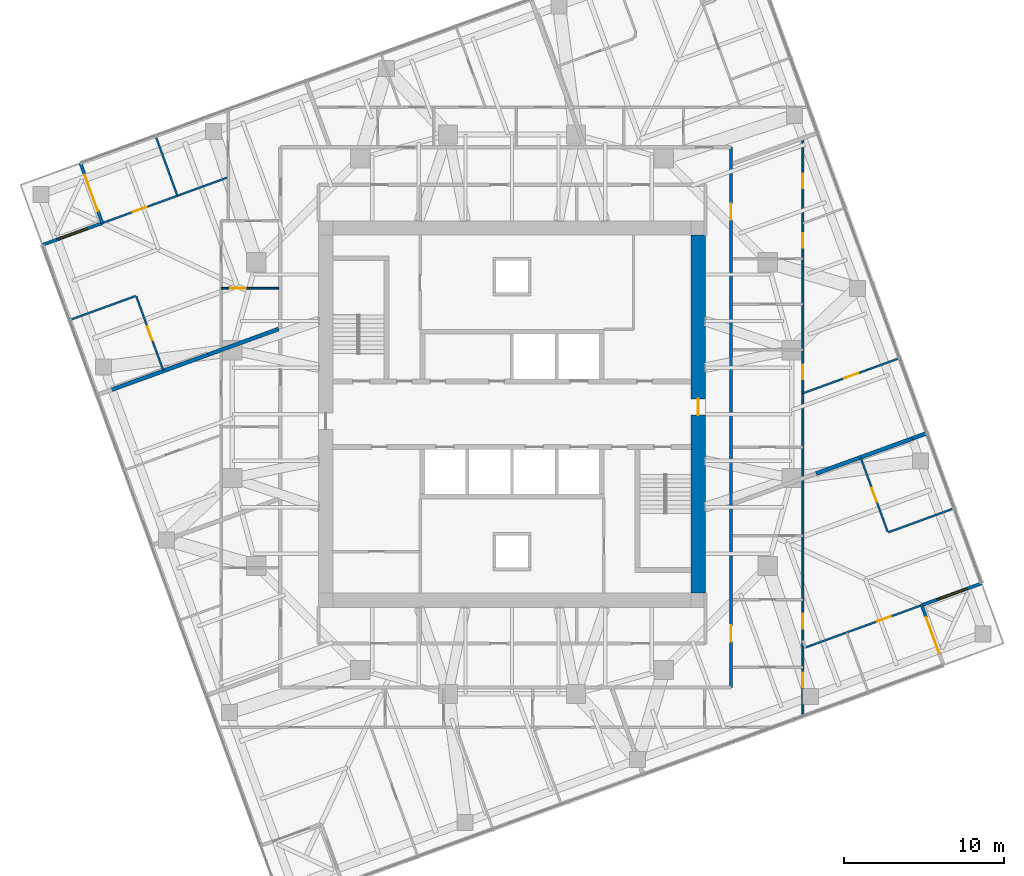
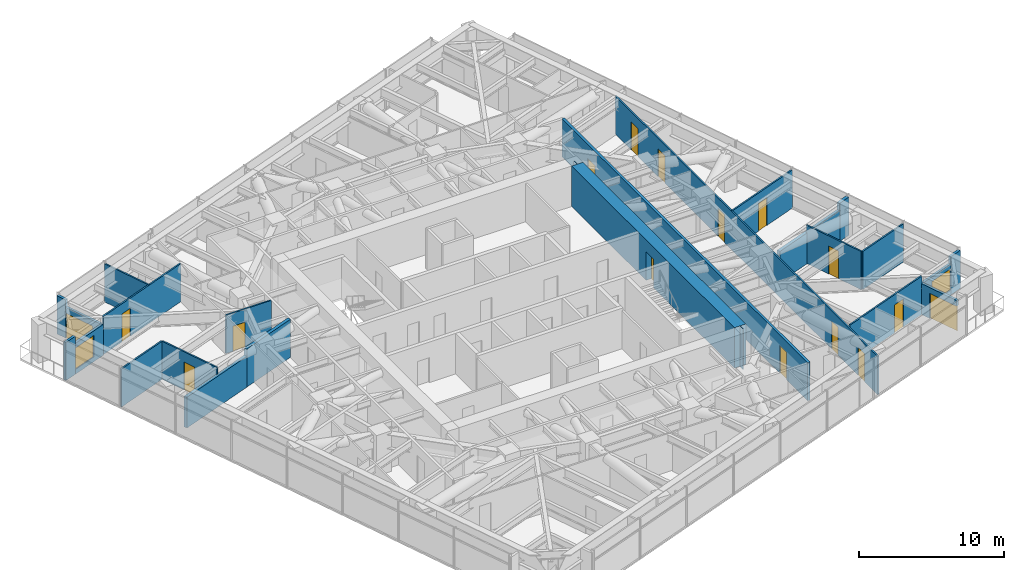
# One storey, part 12 of 16: 23 walls, 16 doors, 2 windows, 18 openings.
"""IFC4 building model written with IfcOpenShell, lengths in metres."""

from ifc_helpers import new_model, si_unit, direction, frame, frame_2d, origin, place, context, subcontext, project, spatial, polyline, rectangle, outline, extrude, material, layer, layer_set, type_object, element, fill, save


model = new_model("IFC4")

# Units and contexts
model_context = context("Model", 3, precision=1e-05, world=origin(), true_north=direction((0.0, 1.0)))
body_context = subcontext(model_context, "Body", "Model", "MODEL_VIEW")
ifc_project = project(units=[si_unit("LENGTHUNIT", "METRE"), si_unit("AREAUNIT", "SQUARE_METRE"), si_unit("VOLUMEUNIT", "CUBIC_METRE"), si_unit("PLANEANGLEUNIT", "RADIAN"), si_unit("MASSUNIT", "GRAM", prefix="KILO")], contexts=[model_context])

# Site, building, storey
site_placement = place(None, origin())
site = spatial("IfcSite", under=ifc_project, at=site_placement, CompositionType="ELEMENT")
building_placement = place(site_placement, origin())
building = spatial("IfcBuilding", under=site, at=building_placement, Name="Torsade Residences", CompositionType="ELEMENT")
storey_placement = place(building_placement, frame((0.0, 0.0, 167.60009765625)))
storey = spatial("IfcBuildingStorey", under=building, at=storey_placement, Name="L46", CompositionType="ELEMENT", Elevation=167.60009765625)

# Wall, opening, door
ifc_material_1 = material(Name="Concrete 80 MPa", Category="concrete")
ifc_layer_1 = layer(ifc_material_1, 0.89990234375)
ifc_layer_set_1 = layer_set([ifc_layer_1], Name="Concrete 80 MPa")
wall_type_1 = type_object("IfcWallType", Name="CORE WALL 900", PredefinedType="SHEAR", material=ifc_layer_set_1)
wall_1_placement = place(storey_placement, frame((51.64990234375, 18.800048828125, 0.0), z_axis=(0.0, 0.0, 1.0), x_axis=(0.0, 1.0, 0.0)))
wall_1 = element("IfcWall", 1, at=wall_1_placement, inside=storey, type_object=wall_type_1, Name="Core wall E L46", PredefinedType="SHEAR", context=body_context, shape_type="SweptSolid", body=[
    extrude(outline(polyline([(0.0, -0.449951171875), (22.39990234375, -0.449951171875), (22.39990234375, -0.02490234375), (22.849853515625, -0.02490234375), (22.849853515625, 0.02490234375), (22.39990234375, 0.02490234375), (22.39990234375, 0.449951171875), (0.0, 0.449951171875), (0.0, 0.02490234375), (-0.449951171875, 0.02490234375), (-0.449951171875, -0.02490234375), (0.0, -0.02490234375), (0.0, -0.449951171875)])), origin(), (0.0, 0.0, 1.0), 3.39990234375),
])
opening_1_placement = place(wall_1_placement, frame((11.139892578125, 0.0, 0.0)))
opening_1 = element("IfcOpeningElement", 2, at=opening_1_placement, cuts=wall_1, Name="Opening D04", PredefinedType="OPENING", context=body_context, shape_type="SweptSolid", body=[
    extrude(rectangle(XDim=1.02001953125, YDim=2.39990234375, at=frame_2d((0.510009765625, 1.199951171875))), frame((0.0, 0.4599609375, 0.0), z_axis=(0.0, -1.0, 0.0), x_axis=(1.0, 0.0, 0.0)), (0.0, 0.0, 1.0), 0.919921875),
])
ifc_material_2 = material(Name="Steel-framed fire door", Category="steel")
door_type_1 = type_object("IfcDoorType", Name="LOBBY SMOKE DOOR 1020x2400", OperationType="NOTDEFINED", PredefinedType="DOOR", material=ifc_material_2)
door_1_placement = place(opening_1_placement, origin())
door_1 = element("IfcDoor", 3, at=door_1_placement, inside=storey, type_object=door_type_1, Name="Lift lobby door E L46", OperationType="SINGLE_SWING_LEFT", OverallHeight=2.39990234375, OverallWidth=1.02001953125, PredefinedType="DOOR", context=body_context, shape_type="SweptSolid", body=[
    extrude(rectangle(XDim=1.02001953125, YDim=2.39990234375, at=frame_2d((0.510009765625, 1.199951171875))), frame((0.0, 0.02490234375, 0.0), z_axis=(0.0, -1.0, 0.0), x_axis=(1.0, 0.0, 0.0)), (0.0, 0.0, 1.0), 0.050048828125),
])
fill(opening_1, door_1)

# Wall, openings, doors
ifc_material_3 = material(Name="Plasterboard on steel stud", Category="steel")
ifc_layer_2 = layer(ifc_material_3, 0.199951171875)
ifc_layer_set_2 = layer_set([ifc_layer_2], Name="Plasterboard on steel stud")
wall_type_2 = type_object("IfcWallType", Name="CORRIDOR WALL 200", PredefinedType="PARTITIONING", material=ifc_layer_set_2)
wall_2_placement = place(storey_placement, frame((53.699951171875, 12.89990234375, 0.0), z_axis=(0.0, 0.0, 1.0), x_axis=(0.0, 1.0, 0.0)))
wall_2 = element("IfcWall", 4, at=wall_2_placement, inside=storey, type_object=wall_type_2, Name="Corridor wall L46", PredefinedType="PARTITIONING", context=body_context, shape_type="SweptSolid", body=[
    extrude(rectangle(XDim=33.800048828125, YDim=0.199951171875, at=frame_2d((16.89990234375, 0.0))), origin(), (0.0, 0.0, 1.0), 3.199951171875),
])
opening_2_placement = place(wall_2_placement, frame((29.25048828125, 0.0, 0.0)))
opening_2 = element("IfcOpeningElement", 5, at=opening_2_placement, cuts=wall_2, Name="Opening D01N", PredefinedType="OPENING", context=body_context, shape_type="SweptSolid", body=[
    extrude(rectangle(XDim=1.02001953125, YDim=2.0, at=frame_2d((0.510009765625, 1.0))), frame((0.0, 0.10986328125, 0.0), z_axis=(0.0, -1.0, 0.0), x_axis=(1.0, 0.0, 0.0)), (0.0, 0.0, 1.0), 0.219970703125),
])
opening_3_placement = place(wall_2_placement, frame((2.8701171875, 0.0, 0.0)))
opening_3 = element("IfcOpeningElement", 6, at=opening_3_placement, cuts=wall_2, Name="Opening D01", PredefinedType="OPENING", context=body_context, shape_type="SweptSolid", body=[
    extrude(rectangle(XDim=1.02001953125, YDim=2.340087890625, at=frame_2d((0.510009765625, 1.169921875))), frame((0.0, 0.10986328125, 0.0), z_axis=(0.0, -1.0, 0.0), x_axis=(1.0, 0.0, 0.0)), (0.0, 0.0, 1.0), 0.219970703125),
])
ifc_material_4 = material(Name="Solid-core timber fire door", Category="wood")
door_type_2 = type_object("IfcDoorType", Name="APARTMENT ENTRY DOOR 1020x2000", OperationType="NOTDEFINED", PredefinedType="DOOR", material=ifc_material_4)
door_2_placement = place(opening_2_placement, origin())
door_2 = element("IfcDoor", 7, at=door_2_placement, inside=storey, type_object=door_type_2, Name="Door Residential corridor to Kitchen and dining", OperationType="SINGLE_SWING_RIGHT", OverallHeight=2.0, OverallWidth=1.02001953125, PredefinedType="DOOR", context=body_context, shape_type="SweptSolid", body=[
    extrude(rectangle(XDim=1.02001953125, YDim=2.0, at=frame_2d((0.510009765625, 1.0))), frame((0.0, 0.02490234375, 0.0), z_axis=(0.0, -1.0, 0.0), x_axis=(1.0, 0.0, 0.0)), (0.0, 0.0, 1.0), 0.050048828125),
])
fill(opening_2, door_2)
ifc_material_5 = material(Name="Solid-core timber fire door", Category="wood")
door_type_3 = type_object("IfcDoorType", Name="APARTMENT ENTRY DOOR 1020x2340", OperationType="NOTDEFINED", PredefinedType="DOOR", material=ifc_material_5)
door_3_placement = place(opening_3_placement, origin())
door_3 = element("IfcDoor", 8, at=door_3_placement, inside=storey, type_object=door_type_3, Name="Door Residential corridor to Kitchen and dining", OperationType="SINGLE_SWING_LEFT", OverallHeight=2.340087890625, OverallWidth=1.02001953125, PredefinedType="DOOR", context=body_context, shape_type="SweptSolid", body=[
    extrude(rectangle(XDim=1.02001953125, YDim=2.340087890625, at=frame_2d((0.510009765625, 1.169921875))), frame((0.0, 0.02490234375, 0.0), z_axis=(0.0, -1.0, 0.0), x_axis=(1.0, 0.0, 0.0)), (0.0, 0.0, 1.0), 0.050048828125),
])
fill(opening_3, door_3)

ifc_material_6 = material(Name="Plasterboard on steel stud", Category="steel")
ifc_layer_3 = layer(ifc_material_6, 0.1201171875)
ifc_layer_set_3 = layer_set([ifc_layer_3], Name="Plasterboard on steel stud")
wall_type_3 = type_object("IfcWallType", Name="PARTITION 120", PredefinedType="PARTITIONING", material=ifc_layer_set_3)
wall_3_placement = place(storey_placement, frame((58.199951171875, 47.26611328125, 0.0), z_axis=(0.0, 0.0, 1.0), x_axis=(0.0, -1.0, 0.0)))
wall_3 = element("IfcWall", 9, at=wall_3_placement, inside=storey, type_object=wall_type_3, Name="Partition L46", PredefinedType="PARTITIONING", context=body_context, shape_type="SweptSolid", body=[
    extrude(rectangle(XDim=36.1396484375, YDim=0.1201171875, at=frame_2d((18.06982421875, 0.0))), origin(), (0.0, 0.0, 1.0), 3.199951171875),
])
opening_4_placement = place(wall_3_placement, frame((2.22705078125, 0.0, 0.0)))
opening_4 = element("IfcOpeningElement", 10, at=opening_4_placement, cuts=wall_3, Name="Opening D02", PredefinedType="OPENING", context=body_context, shape_type="SweptSolid", body=[
    extrude(rectangle(XDim=0.919921875, YDim=2.340087890625, at=frame_2d((0.4599609375, 1.169921875))), frame((0.0, 0.070068359375, 0.0), z_axis=(0.0, -1.0, 0.0), x_axis=(1.0, 0.0, 0.0)), (0.0, 0.0, 1.0), 0.14013671875),
])
opening_5_placement = place(wall_3_placement, frame((5.950439453125, 0.0, 0.0)))
opening_5 = element("IfcOpeningElement", 11, at=opening_5_placement, cuts=wall_3, Name="Opening D02", PredefinedType="OPENING", context=body_context, shape_type="SweptSolid", body=[
    extrude(rectangle(XDim=0.919921875, YDim=2.340087890625, at=frame_2d((0.4599609375, 1.169921875))), frame((0.0, 0.070068359375, 0.0), z_axis=(0.0, -1.0, 0.0), x_axis=(1.0, 0.0, 0.0)), (0.0, 0.0, 1.0), 0.14013671875),
])
opening_6_placement = place(wall_3_placement, frame((29.769287109375, 0.0, 0.0)))
opening_6 = element("IfcOpeningElement", 12, at=opening_6_placement, cuts=wall_3, Name="Opening D02", PredefinedType="OPENING", context=body_context, shape_type="SweptSolid", body=[
    extrude(rectangle(XDim=0.919921875, YDim=2.340087890625, at=frame_2d((0.4599609375, 1.169921875))), frame((0.0, 0.070068359375, 0.0), z_axis=(0.0, -1.0, 0.0), x_axis=(1.0, 0.0, 0.0)), (0.0, 0.0, 1.0), 0.14013671875),
])
opening_7_placement = place(wall_3_placement, frame((14.167724609375, 0.0, 0.0)))
opening_7 = element("IfcOpeningElement", 13, at=opening_7_placement, cuts=wall_3, Name="Opening D02", PredefinedType="OPENING", context=body_context, shape_type="SweptSolid", body=[
    extrude(rectangle(XDim=0.919921875, YDim=2.340087890625, at=frame_2d((0.4599609375, 1.169921875))), frame((0.0, 0.070068359375, 0.0), z_axis=(0.0, -1.0, 0.0), x_axis=(1.0, 0.0, 0.0)), (0.0, 0.0, 1.0), 0.14013671875),
])
opening_8_placement = place(wall_3_placement, frame((33.43408203125, 0.0, 0.0)))
opening_8 = element("IfcOpeningElement", 14, at=opening_8_placement, cuts=wall_3, Name="Opening D02", PredefinedType="OPENING", context=body_context, shape_type="SweptSolid", body=[
    extrude(rectangle(XDim=0.919921875, YDim=2.340087890625, at=frame_2d((0.4599609375, 1.169921875))), frame((0.0, 0.070068359375, 0.0), z_axis=(0.0, -1.0, 0.0), x_axis=(1.0, 0.0, 0.0)), (0.0, 0.0, 1.0), 0.14013671875),
])
ifc_material_7 = material(Name="Hollow-core timber door", Category="wood")
door_type_4 = type_object("IfcDoorType", Name="INTERNAL DOOR 920x2340", OperationType="NOTDEFINED", PredefinedType="DOOR", material=ifc_material_7)
door_4_placement = place(opening_4_placement, origin())
door_4 = element("IfcDoor", 15, at=door_4_placement, inside=storey, type_object=door_type_4, Name="Door Kitchen and dining to Bedroom 2", OperationType="SINGLE_SWING_RIGHT", OverallHeight=2.340087890625, OverallWidth=0.919921875, PredefinedType="DOOR", context=body_context, shape_type="SweptSolid", body=[
    extrude(rectangle(XDim=0.919921875, YDim=2.340087890625, at=frame_2d((0.4599609375, 1.169921875))), frame((0.0, 0.02490234375, 0.0), z_axis=(0.0, -1.0, 0.0), x_axis=(1.0, 0.0, 0.0)), (0.0, 0.0, 1.0), 0.050048828125),
])
fill(opening_4, door_4)
door_5_placement = place(opening_5_placement, origin())
door_5 = element("IfcDoor", 16, at=door_5_placement, inside=storey, type_object=door_type_4, Name="Door Kitchen and dining to Living room", OperationType="SINGLE_SWING_LEFT", OverallHeight=2.340087890625, OverallWidth=0.919921875, PredefinedType="DOOR", context=body_context, shape_type="SweptSolid", body=[
    extrude(rectangle(XDim=0.919921875, YDim=2.340087890625, at=frame_2d((0.4599609375, 1.169921875))), frame((0.0, 0.02490234375, 0.0), z_axis=(0.0, -1.0, 0.0), x_axis=(1.0, 0.0, 0.0)), (0.0, 0.0, 1.0), 0.050048828125),
])
fill(opening_5, door_5)
door_6_placement = place(opening_6_placement, origin())
door_6 = element("IfcDoor", 17, at=door_6_placement, inside=storey, type_object=door_type_4, Name="Door Kitchen and dining to Living room", OperationType="SINGLE_SWING_RIGHT", OverallHeight=2.340087890625, OverallWidth=0.919921875, PredefinedType="DOOR", context=body_context, shape_type="SweptSolid", body=[
    extrude(rectangle(XDim=0.919921875, YDim=2.340087890625, at=frame_2d((0.4599609375, 1.169921875))), frame((0.0, 0.02490234375, 0.0), z_axis=(0.0, -1.0, 0.0), x_axis=(1.0, 0.0, 0.0)), (0.0, 0.0, 1.0), 0.050048828125),
])
fill(opening_6, door_6)
door_7_placement = place(opening_7_placement, origin())
door_7 = element("IfcDoor", 18, at=door_7_placement, inside=storey, type_object=door_type_4, Name="Door Living room to Study", OperationType="SINGLE_SWING_RIGHT", OverallHeight=2.340087890625, OverallWidth=0.919921875, PredefinedType="DOOR", context=body_context, shape_type="SweptSolid", body=[
    extrude(rectangle(XDim=0.919921875, YDim=2.340087890625, at=frame_2d((0.4599609375, 1.169921875))), frame((0.0, 0.02490234375, 0.0), z_axis=(0.0, -1.0, 0.0), x_axis=(1.0, 0.0, 0.0)), (0.0, 0.0, 1.0), 0.050048828125),
])
fill(opening_7, door_7)
door_8_placement = place(opening_8_placement, origin())
door_8 = element("IfcDoor", 19, at=door_8_placement, inside=storey, type_object=door_type_4, Name="Door Scullery to Bedroom 3", OperationType="SINGLE_SWING_RIGHT", OverallHeight=2.340087890625, OverallWidth=0.919921875, PredefinedType="DOOR", context=body_context, shape_type="SweptSolid", body=[
    extrude(rectangle(XDim=0.919921875, YDim=2.340087890625, at=frame_2d((0.4599609375, 1.169921875))), frame((0.0, 0.02490234375, 0.0), z_axis=(0.0, -1.0, 0.0), x_axis=(1.0, 0.0, 0.0)), (0.0, 0.0, 1.0), 0.050048828125),
])
fill(opening_8, door_8)

# Wall, opening, door
wall_4_placement = place(storey_placement, frame((61.8203125, 27.268310546875, 0.0), z_axis=(0.0, 0.0, 1.0), x_axis=(0.342040652346, -0.93968515586, 0.0)))
wall_4 = element("IfcWall", 20, at=wall_4_placement, inside=storey, type_object=wall_type_3, Name="Partition L46", PredefinedType="PARTITIONING", context=body_context, shape_type="SweptSolid", body=[
    extrude(rectangle(XDim=4.93994140625, YDim=0.1201171875, at=frame_2d((2.469970703125, 0.0))), origin(), (0.0, 0.0, 1.0), 3.199951171875),
])
opening_9_placement = place(wall_4_placement, frame((2.010009765625, 0.0, 0.0)))
opening_9 = element("IfcOpeningElement", 21, at=opening_9_placement, cuts=wall_4, Name="Opening D02", PredefinedType="OPENING", context=body_context, shape_type="SweptSolid", body=[
    extrude(rectangle(XDim=0.919921875, YDim=2.340087890625, at=frame_2d((0.4599609375, 1.169921875))), frame((0.0, 0.070068359375, 0.0), z_axis=(0.0, -1.0, 0.0), x_axis=(1.0, 0.0, 0.0)), (0.0, 0.0, 1.0), 0.14013671875),
])
door_9_placement = place(opening_9_placement, origin())
door_9 = element("IfcDoor", 22, at=door_9_placement, inside=storey, type_object=door_type_4, Name="Door Living room to Bedroom 1", OperationType="SINGLE_SWING_LEFT", OverallHeight=2.340087890625, OverallWidth=0.919921875, PredefinedType="DOOR", context=body_context, shape_type="SweptSolid", body=[
    extrude(rectangle(XDim=0.919921875, YDim=2.340087890625, at=frame_2d((0.4599609375, 1.169921875))), frame((0.0, 0.02490234375, 0.0), z_axis=(0.0, -1.0, 0.0), x_axis=(1.0, 0.0, 0.0)), (0.0, 0.0, 1.0), 0.050048828125),
])
fill(opening_9, door_9)

# Wall
wall_5_placement = place(storey_placement, frame((63.54833984375, 22.608154296875, 0.0), z_axis=(0.0, 0.0, 1.0), x_axis=(0.939688742362, 0.34203079902, 0.0)))
element("IfcWall", 23, at=wall_5_placement, inside=storey, type_object=wall_type_3, Name="Partition L46", PredefinedType="PARTITIONING", context=body_context, shape_type="SweptSolid", body=[
    extrude(rectangle(XDim=4.35986328125, YDim=0.1201171875, at=frame_2d((2.179931640625, 0.0))), origin(), (0.0, 0.0, 1.0), 3.199951171875),
])

# Wall, opening, door
wall_6_placement = place(storey_placement, frame((65.5966796875, 18.032958984375, 0.0), z_axis=(0.0, 0.0, 1.0), x_axis=(-0.939687947615, -0.342032982483, 0.0)))
wall_6 = element("IfcWall", 24, at=wall_6_placement, inside=storey, type_object=wall_type_3, Name="Partition L46", PredefinedType="PARTITIONING", context=body_context, shape_type="SweptSolid", body=[
    extrude(rectangle(XDim=7.70751953125, YDim=0.1201171875, at=frame_2d((3.853759765625, 0.0))), origin(), (0.0, 0.0, 1.0), 3.199951171875),
])
opening_10_placement = place(wall_6_placement, frame((2.0, 0.0, 0.0)))
opening_10 = element("IfcOpeningElement", 25, at=opening_10_placement, cuts=wall_6, Name="Opening D02", PredefinedType="OPENING", context=body_context, shape_type="SweptSolid", body=[
    extrude(rectangle(XDim=0.919921875, YDim=2.340087890625, at=frame_2d((0.4599609375, 1.169921875))), frame((0.0, 0.070068359375, 0.0), z_axis=(0.0, -1.0, 0.0), x_axis=(1.0, 0.0, 0.0)), (0.0, 0.0, 1.0), 0.14013671875),
])
door_10_placement = place(opening_10_placement, origin())
door_10 = element("IfcDoor", 26, at=door_10_placement, inside=storey, type_object=door_type_4, Name="Door Living room to Bedroom 2", OperationType="SINGLE_SWING_RIGHT", OverallHeight=2.340087890625, OverallWidth=0.919921875, PredefinedType="DOOR", context=body_context, shape_type="SweptSolid", body=[
    extrude(rectangle(XDim=0.919921875, YDim=2.340087890625, at=frame_2d((0.4599609375, 1.169921875))), frame((0.0, 0.02490234375, 0.0), z_axis=(0.0, -1.0, 0.0), x_axis=(1.0, 0.0, 0.0)), (0.0, 0.0, 1.0), 0.050048828125),
])
fill(opening_10, door_10)

wall_7_placement = place(storey_placement, frame((64.22509765625, 33.496337890625, 0.0), z_axis=(0.0, 0.0, 1.0), x_axis=(-0.939697777766, -0.342005974306, 0.0)))
wall_7 = element("IfcWall", 27, at=wall_7_placement, inside=storey, type_object=wall_type_3, Name="Partition L46", PredefinedType="PARTITIONING", context=body_context, shape_type="SweptSolid", body=[
    extrude(rectangle(XDim=6.411865234375, YDim=0.1201171875, at=frame_2d((3.2060546875, 0.0))), origin(), (0.0, 0.0, 1.0), 3.199951171875),
])
opening_11_placement = place(wall_7_placement, frame((2.725830078125, 0.0, 0.0)))
opening_11 = element("IfcOpeningElement", 28, at=opening_11_placement, cuts=wall_7, Name="Opening D02", PredefinedType="OPENING", context=body_context, shape_type="SweptSolid", body=[
    extrude(rectangle(XDim=0.919921875, YDim=2.340087890625, at=frame_2d((0.4599609375, 1.169921875))), frame((0.0, 0.070068359375, 0.0), z_axis=(0.0, -1.0, 0.0), x_axis=(1.0, 0.0, 0.0)), (0.0, 0.0, 1.0), 0.14013671875),
])
door_11_placement = place(opening_11_placement, origin())
door_11 = element("IfcDoor", 29, at=door_11_placement, inside=storey, type_object=door_type_4, Name="Door Living room to Bedroom 1", OperationType="SINGLE_SWING_RIGHT", OverallHeight=2.340087890625, OverallWidth=0.919921875, PredefinedType="DOOR", context=body_context, shape_type="SweptSolid", body=[
    extrude(rectangle(XDim=0.919921875, YDim=2.340087890625, at=frame_2d((0.4599609375, 1.169921875))), frame((0.0, 0.02490234375, 0.0), z_axis=(0.0, -1.0, 0.0), x_axis=(1.0, 0.0, 0.0)), (0.0, 0.0, 1.0), 0.050048828125),
])
fill(opening_11, door_11)

wall_8_placement = place(storey_placement, frame((25.39990234375, 37.87548828125, 0.0), z_axis=(0.0, 0.0, 1.0), x_axis=(-1.0, 0.0, 0.0)))
wall_8 = element("IfcWall", 30, at=wall_8_placement, inside=storey, type_object=wall_type_3, Name="Partition L46", PredefinedType="PARTITIONING", context=body_context, shape_type="SweptSolid", body=[
    extrude(rectangle(XDim=3.599853515625, YDim=0.1201171875, at=frame_2d((1.7998046875, 0.0))), origin(), (0.0, 0.0, 1.0), 3.199951171875),
])
opening_12_placement = place(wall_8_placement, frame((2.070068359375, 0.0, 0.0)))
opening_12 = element("IfcOpeningElement", 31, at=opening_12_placement, cuts=wall_8, Name="Opening D05", PredefinedType="OPENING", context=body_context, shape_type="SweptSolid", body=[
    extrude(rectangle(XDim=0.9599609375, YDim=2.10009765625, at=frame_2d((0.47998046875, 1.050048828125))), frame((0.0, 0.070068359375, 0.0), z_axis=(0.0, -1.0, 0.0), x_axis=(1.0, 0.0, 0.0)), (0.0, 0.0, 1.0), 0.14013671875),
])
ifc_material_8 = material(Name="Hollow-core timber door in a steel cavity frame", Category="steel")
door_type_5 = type_object("IfcDoorType", Name="BATHROOM CAVITY SLIDING DOOR 960", OperationType="SLIDING_TO_LEFT", PredefinedType="DOOR", material=ifc_material_8)
door_12_placement = place(opening_12_placement, origin())
door_12 = element("IfcDoor", 32, at=door_12_placement, inside=storey, type_object=door_type_5, Name="Door Bathroom to Ensuite", OperationType="SLIDING_TO_LEFT", OverallHeight=2.10009765625, OverallWidth=0.9599609375, PredefinedType="DOOR", context=body_context, shape_type="SweptSolid", body=[
    extrude(rectangle(XDim=0.9599609375, YDim=2.10009765625, at=frame_2d((0.47998046875, 1.050048828125))), frame((0.0, 0.02490234375, 0.0), z_axis=(0.0, -1.0, 0.0), x_axis=(1.0, 0.0, 0.0)), (0.0, 0.0, 1.0), 0.050048828125),
])
fill(opening_12, door_12)

wall_9_placement = place(storey_placement, frame((18.1796875, 32.731689453125, 0.0), z_axis=(0.0, 0.0, 1.0), x_axis=(-0.342040652346, 0.93968515586, 0.0)))
wall_9 = element("IfcWall", 33, at=wall_9_placement, inside=storey, type_object=wall_type_3, Name="Partition L46", PredefinedType="PARTITIONING", context=body_context, shape_type="SweptSolid", body=[
    extrude(rectangle(XDim=4.93994140625, YDim=0.1201171875, at=frame_2d((2.469970703125, 0.0))), origin(), (0.0, 0.0, 1.0), 3.199951171875),
])
opening_13_placement = place(wall_9_placement, frame((2.010009765625, 0.0, 0.0)))
opening_13 = element("IfcOpeningElement", 34, at=opening_13_placement, cuts=wall_9, Name="Opening D02", PredefinedType="OPENING", context=body_context, shape_type="SweptSolid", body=[
    extrude(rectangle(XDim=0.919921875, YDim=2.340087890625, at=frame_2d((0.4599609375, 1.169921875))), frame((0.0, 0.070068359375, 0.0), z_axis=(0.0, -1.0, 0.0), x_axis=(1.0, 0.0, 0.0)), (0.0, 0.0, 1.0), 0.14013671875),
])
door_13_placement = place(opening_13_placement, origin())
door_13 = element("IfcDoor", 35, at=door_13_placement, inside=storey, type_object=door_type_4, Name="Door Living room to Bedroom 1", OperationType="SINGLE_SWING_LEFT", OverallHeight=2.340087890625, OverallWidth=0.919921875, PredefinedType="DOOR", context=body_context, shape_type="SweptSolid", body=[
    extrude(rectangle(XDim=0.919921875, YDim=2.340087890625, at=frame_2d((0.4599609375, 1.169921875))), frame((0.0, 0.02490234375, 0.0), z_axis=(0.0, -1.0, 0.0), x_axis=(1.0, 0.0, 0.0)), (0.0, 0.0, 1.0), 0.050048828125),
])
fill(opening_13, door_13)

# Wall
wall_10_placement = place(storey_placement, frame((16.45166015625, 37.391845703125, 0.0), z_axis=(0.0, 0.0, 1.0), x_axis=(-0.939688742362, -0.34203079902, 0.0)))
element("IfcWall", 36, at=wall_10_placement, inside=storey, type_object=wall_type_3, Name="Partition L46", PredefinedType="PARTITIONING", context=body_context, shape_type="SweptSolid", body=[
    extrude(rectangle(XDim=4.35986328125, YDim=0.1201171875, at=frame_2d((2.179931640625, 0.0))), origin(), (0.0, 0.0, 1.0), 3.199951171875),
])

# Wall, opening, door
wall_11_placement = place(storey_placement, frame((14.4033203125, 41.967041015625, 0.0), z_axis=(0.0, 0.0, 1.0), x_axis=(0.939687825336, 0.342033318427, 0.0)))
wall_11 = element("IfcWall", 37, at=wall_11_placement, inside=storey, type_object=wall_type_3, Name="Partition L46", PredefinedType="PARTITIONING", context=body_context, shape_type="SweptSolid", body=[
    extrude(rectangle(XDim=8.306396484375, YDim=0.1201171875, at=frame_2d((4.1533203125, 0.0))), origin(), (0.0, 0.0, 1.0), 3.199951171875),
])
opening_14_placement = place(wall_11_placement, frame((2.0, 0.0, 0.0)))
opening_14 = element("IfcOpeningElement", 38, at=opening_14_placement, cuts=wall_11, Name="Opening D02", PredefinedType="OPENING", context=body_context, shape_type="SweptSolid", body=[
    extrude(rectangle(XDim=0.919921875, YDim=2.340087890625, at=frame_2d((0.4599609375, 1.169921875))), frame((0.0, 0.070068359375, 0.0), z_axis=(0.0, -1.0, 0.0), x_axis=(1.0, 0.0, 0.0)), (0.0, 0.0, 1.0), 0.14013671875),
])
door_14_placement = place(opening_14_placement, origin())
door_14 = element("IfcDoor", 39, at=door_14_placement, inside=storey, type_object=door_type_4, Name="Door Living room to Bedroom 2", OperationType="SINGLE_SWING_RIGHT", OverallHeight=2.340087890625, OverallWidth=0.919921875, PredefinedType="DOOR", context=body_context, shape_type="SweptSolid", body=[
    extrude(rectangle(XDim=0.919921875, YDim=2.340087890625, at=frame_2d((0.4599609375, 1.169921875))), frame((0.0, 0.02490234375, 0.0), z_axis=(0.0, -1.0, 0.0), x_axis=(1.0, 0.0, 0.0)), (0.0, 0.0, 1.0), 0.050048828125),
])
fill(opening_14, door_14)

# Walls
wall_12_placement = place(storey_placement, frame((17.709716796875, 47.384765625, 0.0), z_axis=(0.0, 0.0, 1.0), x_axis=(0.342040051101, -0.939685374709, 0.0)))
element("IfcWall", 40, at=wall_12_placement, inside=storey, type_object=wall_type_3, Name="Partition L46", PredefinedType="PARTITIONING", context=body_context, shape_type="SweptSolid", body=[
    extrude(rectangle(XDim=3.9599609375, YDim=0.1201171875, at=frame_2d((1.97998046875, 0.0))), origin(), (0.0, 0.0, 1.0), 3.199951171875),
])
ifc_material_9 = material(Name="Masonry-lined stud party wall", Category="masonry")
ifc_layer_4 = layer(ifc_material_9, 0.25)
ifc_layer_set_4 = layer_set([ifc_layer_4], Name="Masonry-lined stud party wall")
wall_type_4 = type_object("IfcWallType", Name="PARTY WALL 250", PredefinedType="PARTITIONING", material=ifc_layer_set_4)
wall_13_placement = place(storey_placement, frame((65.972900390625, 28.8115234375, 0.0), z_axis=(0.0, 0.0, 1.0), x_axis=(-0.939686455819, -0.342037080957, 0.0)))
element("IfcWall", 41, at=wall_13_placement, inside=storey, type_object=wall_type_4, Name="Party wall L46", PredefinedType="PARTITIONING", context=body_context, shape_type="SweptSolid", body=[
    extrude(rectangle(XDim=1.0, YDim=0.25, at=frame_2d((0.5, 0.0))), origin(), (0.0, 0.0, 1.0), 3.199951171875),
])
for number, where, z_axis, x_axis, name in (
    (42, (65.033203125, 28.469482421875, 0.0), (0.0, 0.0, 1.0), (-0.939703072718, -0.341991425514, 0.0), "Party wall L46"),
    (43, (14.966796875, 31.530517578125, 0.0), (0.0, 0.0, 1.0), (0.939703072718, 0.341991425514, 0.0), "Party wall L46"),
):
    element("IfcWall", number, at=place(storey_placement, frame(where, z_axis=z_axis, x_axis=x_axis)), inside=storey, type_object=wall_type_4, Name=name, PredefinedType="PARTITIONING", context=body_context, shape_type="SweptSolid", body=[
        extrude(rectangle(XDim=6.392822265625, YDim=0.25, at=frame_2d((3.1962890625, 0.0))), origin(), (0.0, 0.0, 1.0), 2.587890625),
    ])
wall_14_placement = place(storey_placement, frame((20.97412109375, 33.716796875, 0.0), z_axis=(0.0, 0.0, 1.0), x_axis=(0.939682763587, 0.342047224543, 0.0)))
element("IfcWall", 44, at=wall_14_placement, inside=storey, type_object=wall_type_4, Name="Party wall L46", PredefinedType="PARTITIONING", context=body_context, shape_type="SweptSolid", body=[
    extrude(rectangle(XDim=4.704345703125, YDim=0.25, at=frame_2d((2.35205078125, 0.0))), origin(), (0.0, 0.0, 1.0), 3.199951171875),
])

# Wall, opening, door
ifc_material_10 = material(Name="Stone-faced precast concrete 40 MPa panel", Category="masonry")
ifc_layer_5 = layer(ifc_material_10, 0.199951171875)
ifc_layer_set_5 = layer_set([ifc_layer_5], Name="Stone-faced precast concrete 40 MPa panel")
wall_type_5 = type_object("IfcWallType", Name="TERRACE WALL 200", PredefinedType="SOLIDWALL", material=ifc_layer_set_5)
wall_15_placement = place(storey_placement, frame((66.728759765625, 15.03955078125, 0.0), z_axis=(0.0, 0.0, 1.0), x_axis=(-0.342018703306, 0.939693144909, 0.0)))
wall_15 = element("IfcWall", 45, at=wall_15_placement, inside=storey, type_object=wall_type_5, Name="Terrace wall L46 2", PredefinedType="SOLIDWALL", context=body_context, shape_type="SweptSolid", body=[
    extrude(rectangle(XDim=3.199951171875, YDim=0.199951171875, at=frame_2d((1.60009765625, 0.0))), origin(), (0.0, 0.0, 1.0), 2.587890625),
])
opening_15_placement = place(wall_15_placement, origin())
opening_15 = element("IfcOpeningElement", 46, at=opening_15_placement, cuts=wall_15, Name="Opening D10A", PredefinedType="OPENING", context=body_context, shape_type="SweptSolid", body=[
    extrude(rectangle(XDim=2.39990234375, YDim=2.10009765625, at=frame_2d((1.199951171875, 1.050048828125))), frame((0.0, 0.10986328125, 0.0), z_axis=(0.0, -1.0, 0.0), x_axis=(1.0, 0.0, 0.0)), (0.0, 0.0, 1.0), 0.219970703125),
])
ifc_material_11 = material(Name="Aluminium-framed glass door", Category="aluminium")
door_type_6 = type_object("IfcDoorType", Name="TERRACE SLIDING DOOR 2400x2100", OperationType="SLIDING_TO_LEFT", PredefinedType="DOOR", material=ifc_material_11)
door_15_placement = place(opening_15_placement, origin())
door_15 = element("IfcDoor", 47, at=door_15_placement, inside=storey, type_object=door_type_6, Name="Terrace door L46 2", OperationType="SLIDING_TO_LEFT", OverallHeight=2.10009765625, OverallWidth=2.39990234375, PredefinedType="DOOR", context=body_context, shape_type="SweptSolid", body=[
    extrude(rectangle(XDim=2.39990234375, YDim=2.10009765625, at=frame_2d((1.199951171875, 1.050048828125))), frame((0.0, 0.02490234375, 0.0), z_axis=(0.0, -1.0, 0.0), x_axis=(1.0, 0.0, 0.0)), (0.0, 0.0, 1.0), 0.050048828125),
])
fill(opening_15, door_15)

# Wall, opening, window
wall_16_placement = place(storey_placement, frame((65.63427734375, 18.046630859375, 0.0), z_axis=(0.0, 0.0, 1.0), x_axis=(0.939712609717, 0.341965219194, 0.0)))
wall_16 = element("IfcWall", 48, at=wall_16_placement, inside=storey, type_object=wall_type_5, Name="Terrace wall L46 3", PredefinedType="SOLIDWALL", context=body_context, shape_type="SweptSolid", body=[
    extrude(rectangle(XDim=3.0, YDim=0.199951171875, at=frame_2d((1.5, 0.0))), origin(), (0.0, 0.0, 1.0), 2.587890625),
])
opening_16_placement = place(wall_16_placement, frame((1.0, 0.0, 0.39990234375)))
opening_16 = element("IfcOpeningElement", 49, at=opening_16_placement, cuts=wall_16, Name="Opening W1B", PredefinedType="OPENING", context=body_context, shape_type="SweptSolid", body=[
    extrude(rectangle(XDim=2.0, YDim=1.800048828125, at=frame_2d((1.0, 0.89990234375))), frame((0.0, 0.10986328125, 0.0), z_axis=(0.0, -1.0, 0.0), x_axis=(1.0, 0.0, 0.0)), (0.0, 0.0, 1.0), 0.219970703125),
])
ifc_material_12 = material(Name="Aluminium-framed glass window", Category="aluminium")
window_type = type_object("IfcWindowType", Name="TERRACE WINDOW 2000x1800", PartitioningType="SINGLE_PANEL", PredefinedType="WINDOW", material=ifc_material_12)
window_1_placement = place(opening_16_placement, origin())
window_1 = element("IfcWindow", 50, at=window_1_placement, inside=storey, type_object=window_type, Name="Terrace window L46 3", OverallHeight=1.800048828125, OverallWidth=2.0, PartitioningType="SINGLE_PANEL", PredefinedType="WINDOW", context=body_context, shape_type="SweptSolid", body=[
    extrude(rectangle(XDim=2.0, YDim=1.800048828125, at=frame_2d((1.0, 0.89990234375))), frame((0.0, 0.030029296875, 0.0), z_axis=(0.0, -1.0, 0.0), x_axis=(1.0, 0.0, 0.0)), (0.0, 0.0, 1.0), 0.06005859375),
])
fill(opening_16, window_1)

# Walls
wall_17_placement = place(storey_placement, frame((68.453369140625, 19.072509765625, 0.0), z_axis=(0.0, 0.0, 1.0), x_axis=(0.939686455819, 0.342037080957, 0.0)))
element("IfcWall", 51, at=wall_17_placement, inside=storey, type_object=wall_type_5, Name="Terrace wall L46 3", PredefinedType="SOLIDWALL", context=body_context, shape_type="SweptSolid", body=[
    extrude(rectangle(XDim=1.0, YDim=0.199951171875, at=frame_2d((0.5, 0.0))), origin(), (0.0, 0.0, 1.0), 3.199951171875),
])
wall_18_placement = place(storey_placement, frame((12.99755859375, 45.712158203125, 0.0), z_axis=(0.0, 0.0, 1.0), x_axis=(0.342110593602, -0.939659694648, 0.0)))
element("IfcWall", 52, at=wall_18_placement, inside=storey, type_object=wall_type_5, Name="Terrace wall L46 8", PredefinedType="SOLIDWALL", context=body_context, shape_type="SweptSolid", body=[
    extrude(rectangle(XDim=0.800048828125, YDim=0.199951171875, at=frame_2d((0.39990234375, 0.0))), origin(), (0.0, 0.0, 1.0), 3.199951171875),
])

# Wall, opening, door
wall_19_placement = place(storey_placement, frame((13.271240234375, 44.96044921875, 0.0), z_axis=(0.0, 0.0, 1.0), x_axis=(0.342018703306, -0.939693144909, 0.0)))
wall_19 = element("IfcWall", 53, at=wall_19_placement, inside=storey, type_object=wall_type_5, Name="Terrace wall L46 8", PredefinedType="SOLIDWALL", context=body_context, shape_type="SweptSolid", body=[
    extrude(rectangle(XDim=3.199951171875, YDim=0.199951171875, at=frame_2d((1.60009765625, 0.0))), origin(), (0.0, 0.0, 1.0), 2.587890625),
])
opening_17_placement = place(wall_19_placement, origin())
opening_17 = element("IfcOpeningElement", 54, at=opening_17_placement, cuts=wall_19, Name="Opening D10A", PredefinedType="OPENING", context=body_context, shape_type="SweptSolid", body=[
    extrude(rectangle(XDim=2.39990234375, YDim=2.10009765625, at=frame_2d((1.199951171875, 1.050048828125))), frame((0.0, 0.10986328125, 0.0), z_axis=(0.0, -1.0, 0.0), x_axis=(1.0, 0.0, 0.0)), (0.0, 0.0, 1.0), 0.219970703125),
])
door_16_placement = place(opening_17_placement, origin())
door_16 = element("IfcDoor", 55, at=door_16_placement, inside=storey, type_object=door_type_6, Name="Terrace door L46 8", OperationType="SLIDING_TO_LEFT", OverallHeight=2.10009765625, OverallWidth=2.39990234375, PredefinedType="DOOR", context=body_context, shape_type="SweptSolid", body=[
    extrude(rectangle(XDim=2.39990234375, YDim=2.10009765625, at=frame_2d((1.199951171875, 1.050048828125))), frame((0.0, 0.02490234375, 0.0), z_axis=(0.0, -1.0, 0.0), x_axis=(1.0, 0.0, 0.0)), (0.0, 0.0, 1.0), 0.050048828125),
])
fill(opening_17, door_16)

# Wall, opening, window
wall_20_placement = place(storey_placement, frame((14.36572265625, 41.953369140625, 0.0), z_axis=(0.0, 0.0, 1.0), x_axis=(-0.939712609717, -0.341965219194, 0.0)))
wall_20 = element("IfcWall", 56, at=wall_20_placement, inside=storey, type_object=wall_type_5, Name="Terrace wall L46 9", PredefinedType="SOLIDWALL", context=body_context, shape_type="SweptSolid", body=[
    extrude(rectangle(XDim=3.0, YDim=0.199951171875, at=frame_2d((1.5, 0.0))), origin(), (0.0, 0.0, 1.0), 2.587890625),
])
opening_18_placement = place(wall_20_placement, frame((1.0, 0.0, 0.39990234375)))
opening_18 = element("IfcOpeningElement", 57, at=opening_18_placement, cuts=wall_20, Name="Opening W1B", PredefinedType="OPENING", context=body_context, shape_type="SweptSolid", body=[
    extrude(rectangle(XDim=2.0, YDim=1.800048828125, at=frame_2d((1.0, 0.89990234375))), frame((0.0, 0.10986328125, 0.0), z_axis=(0.0, -1.0, 0.0), x_axis=(1.0, 0.0, 0.0)), (0.0, 0.0, 1.0), 0.219970703125),
])
window_2_placement = place(opening_18_placement, origin())
window_2 = element("IfcWindow", 58, at=window_2_placement, inside=storey, type_object=window_type, Name="Terrace window L46 9", OverallHeight=1.800048828125, OverallWidth=2.0, PartitioningType="SINGLE_PANEL", PredefinedType="WINDOW", context=body_context, shape_type="SweptSolid", body=[
    extrude(rectangle(XDim=2.0, YDim=1.800048828125, at=frame_2d((1.0, 0.89990234375))), frame((0.0, 0.030029296875, 0.0), z_axis=(0.0, -1.0, 0.0), x_axis=(1.0, 0.0, 0.0)), (0.0, 0.0, 1.0), 0.06005859375),
])
fill(opening_18, window_2)

# Wall
wall_21_placement = place(storey_placement, frame((11.546630859375, 40.927490234375, 0.0), z_axis=(0.0, 0.0, 1.0), x_axis=(-0.939686455819, -0.342037080957, 0.0)))
element("IfcWall", 59, at=wall_21_placement, inside=storey, type_object=wall_type_5, Name="Terrace wall L46 9", PredefinedType="SOLIDWALL", context=body_context, shape_type="SweptSolid", body=[
    extrude(rectangle(XDim=1.0, YDim=0.199951171875, at=frame_2d((0.5, 0.0))), origin(), (0.0, 0.0, 1.0), 3.199951171875),
])

save(model, "model.ifc")
